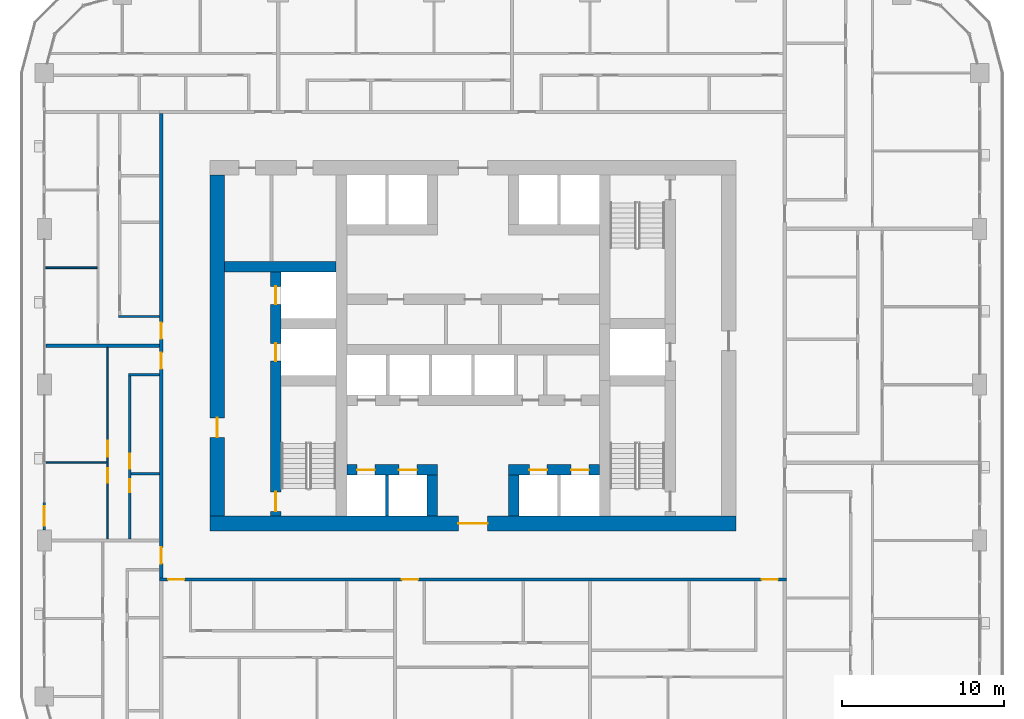
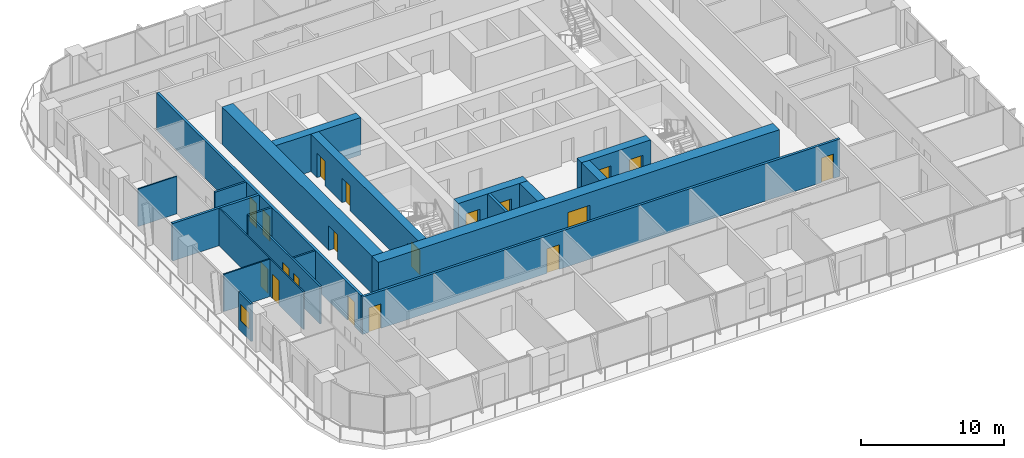
# One storey, part 10 of 22: 20 walls, 19 doors, 1 window, 20 openings.
"""IFC4 building model written with IfcOpenShell, lengths in metres."""

from ifc_helpers import new_model, si_unit, direction, frame, frame_2d, origin, place, context, subcontext, project, spatial, rectangle, extrude, material, layer, layer_set, type_object, element, fill, save


model = new_model("IFC4")

# Units and contexts
model_context = context("Model", 3, precision=1e-05, world=origin(), true_north=direction((0.0, 1.0)))
body_context = subcontext(model_context, "Body", "Model", "MODEL_VIEW")
ifc_project = project(units=[si_unit("LENGTHUNIT", "METRE"), si_unit("AREAUNIT", "SQUARE_METRE"), si_unit("VOLUMEUNIT", "CUBIC_METRE"), si_unit("PLANEANGLEUNIT", "RADIAN"), si_unit("MASSUNIT", "GRAM", prefix="KILO")], contexts=[model_context])

# Site, building, storey
site_placement = place(None, origin())
site = spatial("IfcSite", under=ifc_project, at=site_placement, CompositionType="ELEMENT")
building_placement = place(site_placement, origin())
building = spatial("IfcBuilding", under=site, at=building_placement, Name="Madar Terraces", CompositionType="ELEMENT")
storey_placement = place(building_placement, frame((0.0, 0.0, 76.800048828125)))
storey = spatial("IfcBuildingStorey", under=building, at=storey_placement, Name="L19", CompositionType="ELEMENT", Elevation=76.800048828125)

# Wall, openings, doors
ifc_material_1 = material(Name="Concrete C80/95", Category="concrete")
ifc_layer_1 = layer(ifc_material_1, 0.64990234375)
ifc_layer_set_1 = layer_set([ifc_layer_1], Name="Concrete C80/95 (CIW2 RC wall 650)")
wall_type_1 = type_object("IfcWallType", Name="CIW2 RC wall 650", PredefinedType="SHEAR", material=ifc_layer_set_1)
wall_1_placement = place(storey_placement, frame((19.050048828125, 15.89990234375, 0.0), z_axis=(0.0, 0.0, 1.0), x_axis=(0.0, 1.0, 0.0)))
wall_1 = element("IfcWall", 1, at=wall_1_placement, inside=storey, type_object=wall_type_1, Name="CORE SHAFT WALL", PredefinedType="SHEAR", context=body_context, shape_type="SweptSolid", body=[
    extrude(rectangle(XDim=15.025146484375, YDim=0.64990234375, at=frame_2d((7.5126953125, 0.0))), origin(), (0.0, 0.0, 1.0), 3.199951171875),
])
opening_1_placement = place(wall_1_placement, frame((9.550048828125, 0.0, 0.0)))
opening_1 = element("IfcOpeningElement", 2, at=opening_1_placement, cuts=wall_1, Name="Opening LD", PredefinedType="OPENING", context=body_context, shape_type="SweptSolid", body=[
    extrude(rectangle(XDim=1.10009765625, YDim=2.10009765625, at=frame_2d((0.550048828125, 1.050048828125))), frame((0.0, 0.3349609375, 0.0), z_axis=(0.0, -1.0, 0.0), x_axis=(1.0, 0.0, 0.0)), (0.0, 0.0, 1.0), 0.669921875),
])
opening_2_placement = place(wall_1_placement, frame((13.050048828125, 0.0, 0.0)))
opening_2 = element("IfcOpeningElement", 3, at=opening_2_placement, cuts=wall_1, Name="Opening LD", PredefinedType="OPENING", context=body_context, shape_type="SweptSolid", body=[
    extrude(rectangle(XDim=1.10009765625, YDim=2.10009765625, at=frame_2d((0.550048828125, 1.050048828125))), frame((0.0, 0.3349609375, 0.0), z_axis=(0.0, -1.0, 0.0), x_axis=(1.0, 0.0, 0.0)), (0.0, 0.0, 1.0), 0.669921875),
])
opening_3_placement = place(wall_1_placement, frame((0.300048828125, 0.0, 0.0)))
opening_3 = element("IfcOpeningElement", 4, at=opening_3_placement, cuts=wall_1, Name="Opening SD1", PredefinedType="OPENING", context=body_context, shape_type="SweptSolid", body=[
    extrude(rectangle(XDim=1.199951171875, YDim=2.10009765625, at=frame_2d((0.60009765625, 1.050048828125))), frame((0.0, 0.3349609375, 0.0), z_axis=(0.0, -1.0, 0.0), x_axis=(1.0, 0.0, 0.0)), (0.0, 0.0, 1.0), 0.669921875),
])
ifc_material_2 = material(Name="Stainless steel panel", Category="steel")
door_type_1 = type_object("IfcDoorType", Name="Lift landing door 1100 x 2100", OperationType="DOUBLE_DOOR_SLIDING", PredefinedType="DOOR", material=ifc_material_2)
door_1_placement = place(opening_1_placement, origin())
door_1 = element("IfcDoor", 5, at=door_1_placement, inside=storey, type_object=door_type_1, Name="LIFT LANDING DOOR", OperationType="DOUBLE_DOOR_SLIDING", OverallHeight=2.10009765625, OverallWidth=1.10009765625, PredefinedType="DOOR", context=body_context, shape_type="SweptSolid", body=[
    extrude(rectangle(XDim=1.10009765625, YDim=2.10009765625, at=frame_2d((0.550048828125, 1.050048828125))), frame((0.0, 0.02490234375, 0.0), z_axis=(0.0, -1.0, 0.0), x_axis=(1.0, 0.0, 0.0)), (0.0, 0.0, 1.0), 0.050048828125),
])
fill(opening_1, door_1)
door_2_placement = place(opening_2_placement, origin())
door_2 = element("IfcDoor", 6, at=door_2_placement, inside=storey, type_object=door_type_1, Name="LIFT LANDING DOOR", OperationType="DOUBLE_DOOR_SLIDING", OverallHeight=2.10009765625, OverallWidth=1.10009765625, PredefinedType="DOOR", context=body_context, shape_type="SweptSolid", body=[
    extrude(rectangle(XDim=1.10009765625, YDim=2.10009765625, at=frame_2d((0.550048828125, 1.050048828125))), frame((0.0, 0.02490234375, 0.0), z_axis=(0.0, -1.0, 0.0), x_axis=(1.0, 0.0, 0.0)), (0.0, 0.0, 1.0), 0.050048828125),
])
fill(opening_2, door_2)
ifc_material_3 = material(Name="Steel door leaf", Category="steel")
door_type_2 = type_object("IfcDoorType", Name="Stair door 1200 x 2100", OperationType="NOTDEFINED", PredefinedType="DOOR", material=ifc_material_3)
door_3_placement = place(opening_3_placement, frame((1.199951171875, 0.0, 0.0), z_axis=(0.0, 0.0, 1.0), x_axis=(-1.0, 0.0, 0.0)))
door_3 = element("IfcDoor", 7, at=door_3_placement, inside=storey, type_object=door_type_2, Name="STAIR DOOR", OperationType="SINGLE_SWING_LEFT", OverallHeight=2.10009765625, OverallWidth=1.199951171875, PredefinedType="DOOR", context=body_context, shape_type="SweptSolid", body=[
    extrude(rectangle(XDim=1.199951171875, YDim=2.10009765625, at=frame_2d((0.60009765625, 1.050048828125))), frame((0.0, 0.02490234375, 0.0), z_axis=(0.0, -1.0, 0.0), x_axis=(1.0, 0.0, 0.0)), (0.0, 0.0, 1.0), 0.050048828125),
])
fill(opening_3, door_3)

# Wall
wall_2_placement = place(storey_placement, frame((15.89990234375, 31.25, 0.0), z_axis=(0.0, 0.0, 1.0), x_axis=(1.0, 0.0, 0.0)))
element("IfcWall", 8, at=wall_2_placement, inside=storey, type_object=wall_type_1, Name="CORE SHAFT WALL", PredefinedType="SHEAR", context=body_context, shape_type="SweptSolid", body=[
    extrude(rectangle(XDim=6.875, YDim=0.64990234375, at=frame_2d((3.4375, 0.0))), origin(), (0.0, 0.0, 1.0), 3.199951171875),
])

# Wall, openings, doors
wall_3_placement = place(storey_placement, frame((23.425048828125, 18.75, 0.0), z_axis=(0.0, 0.0, 1.0), x_axis=(1.0, 0.0, 0.0)))
wall_3 = element("IfcWall", 9, at=wall_3_placement, inside=storey, type_object=wall_type_1, Name="CORE SHAFT WALL", PredefinedType="SHEAR", context=body_context, shape_type="SweptSolid", body=[
    extrude(rectangle(XDim=5.599853515625, YDim=0.64990234375, at=frame_2d((2.7998046875, 0.0))), origin(), (0.0, 0.0, 1.0), 3.199951171875),
])
opening_4_placement = place(wall_3_placement, frame((0.637451171875, 0.0, 0.0)))
opening_4 = element("IfcOpeningElement", 10, at=opening_4_placement, cuts=wall_3, Name="Opening LD", PredefinedType="OPENING", context=body_context, shape_type="SweptSolid", body=[
    extrude(rectangle(XDim=1.10009765625, YDim=2.10009765625, at=frame_2d((0.550048828125, 1.050048828125))), frame((0.0, 0.3349609375, 0.0), z_axis=(0.0, -1.0, 0.0), x_axis=(1.0, 0.0, 0.0)), (0.0, 0.0, 1.0), 0.669921875),
])
opening_5_placement = place(wall_3_placement, frame((3.21240234375, 0.0, 0.0)))
opening_5 = element("IfcOpeningElement", 11, at=opening_5_placement, cuts=wall_3, Name="Opening LD", PredefinedType="OPENING", context=body_context, shape_type="SweptSolid", body=[
    extrude(rectangle(XDim=1.10009765625, YDim=2.10009765625, at=frame_2d((0.550048828125, 1.050048828125))), frame((0.0, 0.3349609375, 0.0), z_axis=(0.0, -1.0, 0.0), x_axis=(1.0, 0.0, 0.0)), (0.0, 0.0, 1.0), 0.669921875),
])
door_4_placement = place(opening_4_placement, origin())
door_4 = element("IfcDoor", 12, at=door_4_placement, inside=storey, type_object=door_type_1, Name="LIFT LANDING DOOR", OperationType="DOUBLE_DOOR_SLIDING", OverallHeight=2.10009765625, OverallWidth=1.10009765625, PredefinedType="DOOR", context=body_context, shape_type="SweptSolid", body=[
    extrude(rectangle(XDim=1.10009765625, YDim=2.10009765625, at=frame_2d((0.550048828125, 1.050048828125))), frame((0.0, 0.02490234375, 0.0), z_axis=(0.0, -1.0, 0.0), x_axis=(1.0, 0.0, 0.0)), (0.0, 0.0, 1.0), 0.050048828125),
])
fill(opening_4, door_4)
door_5_placement = place(opening_5_placement, origin())
door_5 = element("IfcDoor", 13, at=door_5_placement, inside=storey, type_object=door_type_1, Name="LIFT LANDING DOOR", OperationType="DOUBLE_DOOR_SLIDING", OverallHeight=2.10009765625, OverallWidth=1.10009765625, PredefinedType="DOOR", context=body_context, shape_type="SweptSolid", body=[
    extrude(rectangle(XDim=1.10009765625, YDim=2.10009765625, at=frame_2d((0.550048828125, 1.050048828125))), frame((0.0, 0.02490234375, 0.0), z_axis=(0.0, -1.0, 0.0), x_axis=(1.0, 0.0, 0.0)), (0.0, 0.0, 1.0), 0.050048828125),
])
fill(opening_5, door_5)

wall_4_placement = place(storey_placement, frame((33.375, 18.75, 0.0), z_axis=(0.0, 0.0, 1.0), x_axis=(1.0, 0.0, 0.0)))
wall_4 = element("IfcWall", 14, at=wall_4_placement, inside=storey, type_object=wall_type_1, Name="CORE SHAFT WALL", PredefinedType="SHEAR", context=body_context, shape_type="SweptSolid", body=[
    extrude(rectangle(XDim=5.60009765625, YDim=0.64990234375, at=frame_2d((2.800048828125, 0.0))), origin(), (0.0, 0.0, 1.0), 3.199951171875),
])
opening_6_placement = place(wall_4_placement, frame((1.28759765625, 0.0, 0.0)))
opening_6 = element("IfcOpeningElement", 15, at=opening_6_placement, cuts=wall_4, Name="Opening LD", PredefinedType="OPENING", context=body_context, shape_type="SweptSolid", body=[
    extrude(rectangle(XDim=1.10009765625, YDim=2.10009765625, at=frame_2d((0.550048828125, 1.050048828125))), frame((0.0, 0.3349609375, 0.0), z_axis=(0.0, -1.0, 0.0), x_axis=(1.0, 0.0, 0.0)), (0.0, 0.0, 1.0), 0.669921875),
])
opening_7_placement = place(wall_4_placement, frame((3.862548828125, 0.0, 0.0)))
opening_7 = element("IfcOpeningElement", 16, at=opening_7_placement, cuts=wall_4, Name="Opening LD", PredefinedType="OPENING", context=body_context, shape_type="SweptSolid", body=[
    extrude(rectangle(XDim=1.10009765625, YDim=2.10009765625, at=frame_2d((0.550048828125, 1.050048828125))), frame((0.0, 0.3349609375, 0.0), z_axis=(0.0, -1.0, 0.0), x_axis=(1.0, 0.0, 0.0)), (0.0, 0.0, 1.0), 0.669921875),
])
door_6_placement = place(opening_6_placement, origin())
door_6 = element("IfcDoor", 17, at=door_6_placement, inside=storey, type_object=door_type_1, Name="LIFT LANDING DOOR", OperationType="DOUBLE_DOOR_SLIDING", OverallHeight=2.10009765625, OverallWidth=1.10009765625, PredefinedType="DOOR", context=body_context, shape_type="SweptSolid", body=[
    extrude(rectangle(XDim=1.10009765625, YDim=2.10009765625, at=frame_2d((0.550048828125, 1.050048828125))), frame((0.0, 0.02490234375, 0.0), z_axis=(0.0, -1.0, 0.0), x_axis=(1.0, 0.0, 0.0)), (0.0, 0.0, 1.0), 0.050048828125),
])
fill(opening_6, door_6)
door_7_placement = place(opening_7_placement, origin())
door_7 = element("IfcDoor", 18, at=door_7_placement, inside=storey, type_object=door_type_1, Name="LIFT LANDING DOOR", OperationType="DOUBLE_DOOR_SLIDING", OverallHeight=2.10009765625, OverallWidth=1.10009765625, PredefinedType="DOOR", context=body_context, shape_type="SweptSolid", body=[
    extrude(rectangle(XDim=1.10009765625, YDim=2.10009765625, at=frame_2d((0.550048828125, 1.050048828125))), frame((0.0, 0.02490234375, 0.0), z_axis=(0.0, -1.0, 0.0), x_axis=(1.0, 0.0, 0.0)), (0.0, 0.0, 1.0), 0.050048828125),
])
fill(opening_7, door_7)

# Walls
for number, where, z_axis, x_axis, name in (
    (19, (28.699951171875, 15.89990234375, 0.0), (0.0, 0.0, 1.0), (0.0, 1.0, 0.0), "CORE SHAFT WALL"),
    (20, (33.699951171875, 15.89990234375, 0.0), (0.0, 0.0, 1.0), (0.0, 1.0, 0.0), "CORE SHAFT WALL"),
):
    element("IfcWall", number, at=place(storey_placement, frame(where, z_axis=z_axis, x_axis=x_axis)), inside=storey, type_object=wall_type_1, Name=name, PredefinedType="SHEAR", context=body_context, shape_type="SweptSolid", body=[
        extrude(rectangle(XDim=2.525146484375, YDim=0.64990234375, at=frame_2d((1.2626953125, 0.0))), origin(), (0.0, 0.0, 1.0), 3.199951171875),
    ])

# Wall, opening, door
ifc_material_4 = material(Name="Concrete C80/95", Category="concrete")
ifc_layer_2 = layer(ifc_material_4, 0.89990234375)
ifc_layer_set_2 = layer_set([ifc_layer_2], Name="Concrete C80/95 (CRW2 RC wall 900)")
wall_type_2 = type_object("IfcWallType", Name="CRW2 RC wall 900", PredefinedType="SHEAR", material=ifc_layer_set_2)
wall_5_placement = place(storey_placement, frame((15.0, 15.449951171875, 0.0), z_axis=(0.0, 0.0, 1.0), x_axis=(1.0, 0.0, 0.0)))
wall_5 = element("IfcWall", 21, at=wall_5_placement, inside=storey, type_object=wall_type_2, Name="CORE OUTER WALL", PredefinedType="SHEAR", context=body_context, shape_type="SweptSolid", body=[
    extrude(rectangle(XDim=32.39990234375, YDim=0.89990234375, at=frame_2d((16.199951171875, 0.0))), origin(), (0.0, 0.0, 1.0), 3.199951171875),
])
opening_8_placement = place(wall_5_placement, frame((15.300048828125, 0.0, 0.0)))
opening_8 = element("IfcOpeningElement", 22, at=opening_8_placement, cuts=wall_5, Name="Opening KD1", PredefinedType="OPENING", context=body_context, shape_type="SweptSolid", body=[
    extrude(rectangle(XDim=1.800048828125, YDim=2.10009765625, at=frame_2d((0.89990234375, 1.050048828125))), frame((0.0, 0.4599609375, 0.0), z_axis=(0.0, -1.0, 0.0), x_axis=(1.0, 0.0, 0.0)), (0.0, 0.0, 1.0), 0.919921875),
])
ifc_material_5 = material(Name="Steel door leaf", Category="steel")
door_type_3 = type_object("IfcDoorType", Name="Lobby door pair 1800 x 2100", OperationType="DOUBLE_DOOR_SINGLE_SWING", PredefinedType="DOOR", material=ifc_material_5)
door_8_placement = place(opening_8_placement, frame((1.800048828125, 0.0, 0.0), z_axis=(0.0, 0.0, 1.0), x_axis=(-1.0, 0.0, 0.0)))
door_8 = element("IfcDoor", 23, at=door_8_placement, inside=storey, type_object=door_type_3, Name="LIFT LOBBY DOOR", OperationType="DOUBLE_DOOR_SINGLE_SWING", OverallHeight=2.10009765625, OverallWidth=1.800048828125, PredefinedType="DOOR", context=body_context, shape_type="SweptSolid", body=[
    extrude(rectangle(XDim=1.800048828125, YDim=2.10009765625, at=frame_2d((0.89990234375, 1.050048828125))), frame((0.0, 0.02490234375, 0.0), z_axis=(0.0, -1.0, 0.0), x_axis=(1.0, 0.0, 0.0)), (0.0, 0.0, 1.0), 0.050048828125),
])
fill(opening_8, door_8)

wall_6_placement = place(storey_placement, frame((15.449951171875, 15.89990234375, 0.0), z_axis=(0.0, 0.0, 1.0), x_axis=(0.0, 1.0, 0.0)))
wall_6 = element("IfcWall", 24, at=wall_6_placement, inside=storey, type_object=wall_type_2, Name="CORE OUTER WALL", PredefinedType="SHEAR", context=body_context, shape_type="SweptSolid", body=[
    extrude(rectangle(XDim=21.0, YDim=0.89990234375, at=frame_2d((10.5, 0.0))), origin(), (0.0, 0.0, 1.0), 3.199951171875),
])
opening_9_placement = place(wall_6_placement, frame((4.860107421875, 0.0, 0.0)))
opening_9 = element("IfcOpeningElement", 25, at=opening_9_placement, cuts=wall_6, Name="Opening SD1", PredefinedType="OPENING", context=body_context, shape_type="SweptSolid", body=[
    extrude(rectangle(XDim=1.199951171875, YDim=2.10009765625, at=frame_2d((0.60009765625, 1.050048828125))), frame((0.0, 0.4599609375, 0.0), z_axis=(0.0, -1.0, 0.0), x_axis=(1.0, 0.0, 0.0)), (0.0, 0.0, 1.0), 0.919921875),
])
door_9_placement = place(opening_9_placement, frame((1.199951171875, 0.0, 0.0), z_axis=(0.0, 0.0, 1.0), x_axis=(-1.0, 0.0, 0.0)))
door_9 = element("IfcDoor", 26, at=door_9_placement, inside=storey, type_object=door_type_2, Name="STAIR DOOR", OperationType="SINGLE_SWING_RIGHT", OverallHeight=2.10009765625, OverallWidth=1.199951171875, PredefinedType="DOOR", context=body_context, shape_type="SweptSolid", body=[
    extrude(rectangle(XDim=1.199951171875, YDim=2.10009765625, at=frame_2d((0.60009765625, 1.050048828125))), frame((0.0, 0.02490234375, 0.0), z_axis=(0.0, -1.0, 0.0), x_axis=(1.0, 0.0, 0.0)), (0.0, 0.0, 1.0), 0.050048828125),
])
fill(opening_9, door_9)

# Wall
ifc_material_6 = material(Name="Concrete C40/50", Category="concrete")
ifc_layer_3 = layer(ifc_material_6, 0.199951171875)
ifc_layer_set_3 = layer_set([ifc_layer_3], Name="Core shaft dividing wall 200 C40/50")
wall_type_3 = type_object("IfcWallType", Name="Core shaft dividing wall 200 C40/50", PredefinedType="SOLIDWALL", material=ifc_layer_set_3)
wall_7_placement = place(storey_placement, frame((25.89990234375, 15.89990234375, 0.0), z_axis=(0.0, 0.0, 1.0), x_axis=(0.0, 1.0, 0.0)))
element("IfcWall", 27, at=wall_7_placement, inside=storey, type_object=wall_type_3, Name="SHAFT DIVIDING WALL", PredefinedType="SOLIDWALL", context=body_context, shape_type="SweptSolid", body=[
    extrude(rectangle(XDim=2.525146484375, YDim=0.199951171875, at=frame_2d((1.2626953125, 0.0))), origin(), (0.0, 0.0, 1.0), 3.199951171875),
])

# Wall, opening, window
ifc_material_7 = material(Name="Aluminium composite panel, black, over insulated backing", Category="aluminium")
ifc_layer_4 = layer(ifc_material_7, 0.14990234375)
ifc_layer_set_4 = layer_set([ifc_layer_4], Name="Facade bay panel 150")
wall_type_4 = type_object("IfcWallType", Name="Facade bay panel 150", PredefinedType="SOLIDWALL", material=ifc_layer_set_4)
wall_8_placement = place(storey_placement, frame((4.800048828125, 16.800048828125, 0.0), z_axis=(0.0, 0.0, 1.0), x_axis=(0.0, -1.0, 0.0)))
wall_8 = element("IfcWall", 28, at=wall_8_placement, inside=storey, type_object=wall_type_4, Name="Facade bay panel", PredefinedType="SOLIDWALL", context=body_context, shape_type="SweptSolid", body=[
    extrude(rectangle(XDim=1.75, YDim=0.14990234375, at=frame_2d((0.875, 0.0))), origin(), (0.0, 0.0, 1.0), 3.199951171875),
])
opening_10_placement = place(wall_8_placement, frame((0.27490234375, 0.0, 0.89990234375)))
opening_10 = element("IfcOpeningElement", 29, at=opening_10_placement, cuts=wall_8, Name="Opening W1", PredefinedType="OPENING", context=body_context, shape_type="SweptSolid", body=[
    extrude(rectangle(XDim=1.199951171875, YDim=1.39990234375, at=frame_2d((0.60009765625, 0.699951171875))), frame((0.0, 0.0849609375, 0.0), z_axis=(0.0, -1.0, 0.0), x_axis=(1.0, 0.0, 0.0)), (0.0, 0.0, 1.0), 0.169921875),
])
ifc_material_8 = material(Name="Glass, clear, with black aluminium frame", Category="aluminium")
window_type = type_object("IfcWindowType", Name="Vent window 1200 x 1400", PartitioningType="SINGLE_PANEL", PredefinedType="WINDOW", material=ifc_material_8)
window_placement = place(opening_10_placement, origin())
window = element("IfcWindow", 30, at=window_placement, inside=storey, type_object=window_type, Name="Operable vent window", OverallHeight=1.39990234375, OverallWidth=1.199951171875, PartitioningType="SINGLE_PANEL", PredefinedType="WINDOW", context=body_context, shape_type="SweptSolid", body=[
    extrude(rectangle(XDim=1.199951171875, YDim=1.39990234375, at=frame_2d((0.60009765625, 0.699951171875))), frame((0.0, 0.030029296875, 0.0), z_axis=(0.0, -1.0, 0.0), x_axis=(1.0, 0.0, 0.0)), (0.0, 0.0, 1.0), 0.06005859375),
])
fill(opening_10, window)

# Walls
ifc_material_9 = material(Name="Gypsum board on steel studs", Category="steel")
ifc_layer_5 = layer(ifc_material_9, 0.10009765625)
ifc_layer_set_5 = layer_set([ifc_layer_5], Name="Flat partition 100")
wall_type_5 = type_object("IfcWallType", Name="Flat partition 100", PredefinedType="PARTITIONING", material=ifc_layer_set_5)
wall_9_placement = place(storey_placement, frame((8.050048828125, 31.199951171875, 0.0), z_axis=(0.0, 0.0, 1.0), x_axis=(-1.0, 0.0, 0.0)))
element("IfcWall", 31, at=wall_9_placement, inside=storey, type_object=wall_type_5, Name="Flat partition 100", PredefinedType="PARTITIONING", context=body_context, shape_type="SweptSolid", body=[
    extrude(rectangle(XDim=3.150146484375, YDim=0.10009765625, at=frame_2d((1.5751953125, 0.0))), origin(), (0.0, 0.0, 1.0), 3.199951171875),
])
wall_10_placement = place(storey_placement, frame((8.64990234375, 19.199951171875, 0.0), z_axis=(0.0, 0.0, 1.0), x_axis=(-1.0, 0.0, 0.0)))
element("IfcWall", 32, at=wall_10_placement, inside=storey, type_object=wall_type_5, Name="Flat partition 100", PredefinedType="PARTITIONING", context=body_context, shape_type="SweptSolid", body=[
    extrude(rectangle(XDim=3.75, YDim=0.10009765625, at=frame_2d((1.875, 0.0))), origin(), (0.0, 0.0, 1.0), 3.199951171875),
])

# Wall, openings, doors
wall_11_placement = place(storey_placement, frame((8.699951171875, 14.5, 0.0), z_axis=(0.0, 0.0, 1.0), x_axis=(0.0, 1.0, 0.0)))
wall_11 = element("IfcWall", 33, at=wall_11_placement, inside=storey, type_object=wall_type_5, Name="Flat partition 100", PredefinedType="PARTITIONING", context=body_context, shape_type="SweptSolid", body=[
    extrude(rectangle(XDim=11.800048828125, YDim=0.10009765625, at=frame_2d((5.89990234375, 0.0))), origin(), (0.0, 0.0, 1.0), 3.199951171875),
])
opening_11_placement = place(wall_11_placement, frame((5.050048828125, 0.0, 0.0)))
opening_11 = element("IfcOpeningElement", 34, at=opening_11_placement, cuts=wall_11, Name="Opening D3", PredefinedType="OPENING", context=body_context, shape_type="SweptSolid", body=[
    extrude(rectangle(XDim=1.0, YDim=2.10009765625, at=frame_2d((0.5, 1.050048828125))), frame((0.0, 0.06005859375, 0.0), z_axis=(0.0, -1.0, 0.0), x_axis=(1.0, 0.0, 0.0)), (0.0, 0.0, 1.0), 0.1201171875),
])
opening_12_placement = place(wall_11_placement, frame((3.449951171875, 0.0, 0.0)))
opening_12 = element("IfcOpeningElement", 35, at=opening_12_placement, cuts=wall_11, Name="Opening D2", PredefinedType="OPENING", context=body_context, shape_type="SweptSolid", body=[
    extrude(rectangle(XDim=0.89990234375, YDim=2.10009765625, at=frame_2d((0.449951171875, 1.050048828125))), frame((0.0, 0.06005859375, 0.0), z_axis=(0.0, -1.0, 0.0), x_axis=(1.0, 0.0, 0.0)), (0.0, 0.0, 1.0), 0.1201171875),
])
ifc_material_10 = material(Name="Timber door leaf", Category="wood")
door_type_4 = type_object("IfcDoorType", Name="Flat living room door 1000", OperationType="NOTDEFINED", PredefinedType="DOOR", material=ifc_material_10)
door_10_placement = place(opening_11_placement, origin())
door_10 = element("IfcDoor", 36, at=door_10_placement, inside=storey, type_object=door_type_4, Name="Flat living room door 1000", OperationType="SINGLE_SWING_LEFT", OverallHeight=2.10009765625, OverallWidth=1.0, PredefinedType="DOOR", context=body_context, shape_type="SweptSolid", body=[
    extrude(rectangle(XDim=1.0, YDim=2.10009765625, at=frame_2d((0.5, 1.050048828125))), frame((0.0, 0.02490234375, 0.0), z_axis=(0.0, -1.0, 0.0), x_axis=(1.0, 0.0, 0.0)), (0.0, 0.0, 1.0), 0.050048828125),
])
fill(opening_11, door_10)
ifc_material_11 = material(Name="Timber door leaf", Category="wood")
door_type_5 = type_object("IfcDoorType", Name="Flat room door 900", OperationType="NOTDEFINED", PredefinedType="DOOR", material=ifc_material_11)
door_11_placement = place(opening_12_placement, origin())
door_11 = element("IfcDoor", 37, at=door_11_placement, inside=storey, type_object=door_type_5, Name="Flat room door 900", OperationType="SINGLE_SWING_RIGHT", OverallHeight=2.10009765625, OverallWidth=0.89990234375, PredefinedType="DOOR", context=body_context, shape_type="SweptSolid", body=[
    extrude(rectangle(XDim=0.89990234375, YDim=2.10009765625, at=frame_2d((0.449951171875, 1.050048828125))), frame((0.0, 0.02490234375, 0.0), z_axis=(0.0, -1.0, 0.0), x_axis=(1.0, 0.0, 0.0)), (0.0, 0.0, 1.0), 0.050048828125),
])
fill(opening_12, door_11)

ifc_material_12 = material(Name="Lightweight blockwork", Category="masonry")
ifc_layer_6 = layer(ifc_material_12, 0.199951171875)
ifc_layer_set_6 = layer_set([ifc_layer_6], Name="Flat party and entrance wall 200")
wall_type_6 = type_object("IfcWallType", Name="Flat party and entrance wall 200", PredefinedType="PARTITIONING", material=ifc_layer_set_6)
wall_12_placement = place(storey_placement, frame((50.5, 12.0, 0.0), z_axis=(0.0, 0.0, 1.0), x_axis=(-1.0, 0.0, 0.0)))
wall_12 = element("IfcWall", 38, at=wall_12_placement, inside=storey, type_object=wall_type_6, Name="Flat party and entrance wall 200", PredefinedType="PARTITIONING", context=body_context, shape_type="SweptSolid", body=[
    extrude(rectangle(XDim=38.60009765625, YDim=0.199951171875, at=frame_2d((19.300048828125, 0.0))), origin(), (0.0, 0.0, 1.0), 3.199951171875),
])
opening_13_placement = place(wall_12_placement, frame((37.074951171875, 0.0, 0.0)))
opening_13 = element("IfcOpeningElement", 39, at=opening_13_placement, cuts=wall_12, Name="Opening D1", PredefinedType="OPENING", context=body_context, shape_type="SweptSolid", body=[
    extrude(rectangle(XDim=1.0, YDim=2.10009765625, at=frame_2d((0.5, 1.050048828125))), frame((0.0, 0.10986328125, 0.0), z_axis=(0.0, -1.0, 0.0), x_axis=(1.0, 0.0, 0.0)), (0.0, 0.0, 1.0), 0.219970703125),
])
opening_14_placement = place(wall_12_placement, frame((22.675048828125, 0.0, 0.0)))
opening_14 = element("IfcOpeningElement", 40, at=opening_14_placement, cuts=wall_12, Name="Opening D1", PredefinedType="OPENING", context=body_context, shape_type="SweptSolid", body=[
    extrude(rectangle(XDim=1.0, YDim=2.10009765625, at=frame_2d((0.5, 1.050048828125))), frame((0.0, 0.10986328125, 0.0), z_axis=(0.0, -1.0, 0.0), x_axis=(1.0, 0.0, 0.0)), (0.0, 0.0, 1.0), 0.219970703125),
])
opening_15_placement = place(wall_12_placement, frame((0.52490234375, 0.0, 0.0)))
opening_15 = element("IfcOpeningElement", 41, at=opening_15_placement, cuts=wall_12, Name="Opening D1", PredefinedType="OPENING", context=body_context, shape_type="SweptSolid", body=[
    extrude(rectangle(XDim=1.0, YDim=2.10009765625, at=frame_2d((0.5, 1.050048828125))), frame((0.0, 0.10986328125, 0.0), z_axis=(0.0, -1.0, 0.0), x_axis=(1.0, 0.0, 0.0)), (0.0, 0.0, 1.0), 0.219970703125),
])
ifc_material_13 = material(Name="Timber fire door leaf", Category="wood")
door_type_6 = type_object("IfcDoorType", Name="Flat entrance door 1000 FD30S", OperationType="NOTDEFINED", PredefinedType="DOOR", material=ifc_material_13)
door_12_placement = place(opening_13_placement, origin())
door_12 = element("IfcDoor", 42, at=door_12_placement, inside=storey, type_object=door_type_6, Name="Flat entrance door 1000 FD30S", OperationType="SINGLE_SWING_RIGHT", OverallHeight=2.10009765625, OverallWidth=1.0, PredefinedType="DOOR", context=body_context, shape_type="SweptSolid", body=[
    extrude(rectangle(XDim=1.0, YDim=2.10009765625, at=frame_2d((0.5, 1.050048828125))), frame((0.0, 0.02490234375, 0.0), z_axis=(0.0, -1.0, 0.0), x_axis=(1.0, 0.0, 0.0)), (0.0, 0.0, 1.0), 0.050048828125),
])
fill(opening_13, door_12)
door_13_placement = place(opening_14_placement, origin())
door_13 = element("IfcDoor", 43, at=door_13_placement, inside=storey, type_object=door_type_6, Name="Flat entrance door 1000 FD30S", OperationType="SINGLE_SWING_RIGHT", OverallHeight=2.10009765625, OverallWidth=1.0, PredefinedType="DOOR", context=body_context, shape_type="SweptSolid", body=[
    extrude(rectangle(XDim=1.0, YDim=2.10009765625, at=frame_2d((0.5, 1.050048828125))), frame((0.0, 0.02490234375, 0.0), z_axis=(0.0, -1.0, 0.0), x_axis=(1.0, 0.0, 0.0)), (0.0, 0.0, 1.0), 0.050048828125),
])
fill(opening_14, door_13)
door_14_placement = place(opening_15_placement, origin())
door_14 = element("IfcDoor", 44, at=door_14_placement, inside=storey, type_object=door_type_6, Name="Flat entrance door 1000 FD30S", OperationType="SINGLE_SWING_LEFT", OverallHeight=2.10009765625, OverallWidth=1.0, PredefinedType="DOOR", context=body_context, shape_type="SweptSolid", body=[
    extrude(rectangle(XDim=1.0, YDim=2.10009765625, at=frame_2d((0.5, 1.050048828125))), frame((0.0, 0.02490234375, 0.0), z_axis=(0.0, -1.0, 0.0), x_axis=(1.0, 0.0, 0.0)), (0.0, 0.0, 1.0), 0.050048828125),
])
fill(opening_15, door_14)

wall_13_placement = place(storey_placement, frame((12.0, 12.10009765625, 0.0), z_axis=(0.0, 0.0, 1.0), x_axis=(0.0, 1.0, 0.0)))
wall_13 = element("IfcWall", 45, at=wall_13_placement, inside=storey, type_object=wall_type_6, Name="Flat party and entrance wall 200", PredefinedType="PARTITIONING", context=body_context, shape_type="SweptSolid", body=[
    extrude(rectangle(XDim=28.599853515625, YDim=0.199951171875, at=frame_2d((14.2998046875, 0.0))), origin(), (0.0, 0.0, 1.0), 3.199951171875),
])
opening_16_placement = place(wall_13_placement, frame((14.72509765625, 0.0, 0.0)))
opening_16 = element("IfcOpeningElement", 46, at=opening_16_placement, cuts=wall_13, Name="Opening D1", PredefinedType="OPENING", context=body_context, shape_type="SweptSolid", body=[
    extrude(rectangle(XDim=1.0, YDim=2.10009765625, at=frame_2d((0.5, 1.050048828125))), frame((0.0, 0.10986328125, 0.0), z_axis=(0.0, -1.0, 0.0), x_axis=(1.0, 0.0, 0.0)), (0.0, 0.0, 1.0), 0.219970703125),
])
opening_17_placement = place(wall_13_placement, frame((12.875, 0.0, 0.0)))
opening_17 = element("IfcOpeningElement", 47, at=opening_17_placement, cuts=wall_13, Name="Opening D1", PredefinedType="OPENING", context=body_context, shape_type="SweptSolid", body=[
    extrude(rectangle(XDim=1.0, YDim=2.10009765625, at=frame_2d((0.5, 1.050048828125))), frame((0.0, 0.10986328125, 0.0), z_axis=(0.0, -1.0, 0.0), x_axis=(1.0, 0.0, 0.0)), (0.0, 0.0, 1.0), 0.219970703125),
])
opening_18_placement = place(wall_13_placement, frame((0.875, 0.0, 0.0)))
opening_18 = element("IfcOpeningElement", 48, at=opening_18_placement, cuts=wall_13, Name="Opening D1", PredefinedType="OPENING", context=body_context, shape_type="SweptSolid", body=[
    extrude(rectangle(XDim=1.0, YDim=2.10009765625, at=frame_2d((0.5, 1.050048828125))), frame((0.0, 0.10986328125, 0.0), z_axis=(0.0, -1.0, 0.0), x_axis=(1.0, 0.0, 0.0)), (0.0, 0.0, 1.0), 0.219970703125),
])
door_15_placement = place(opening_16_placement, origin())
door_15 = element("IfcDoor", 49, at=door_15_placement, inside=storey, type_object=door_type_6, Name="Flat entrance door 1000 FD30S", OperationType="SINGLE_SWING_LEFT", OverallHeight=2.10009765625, OverallWidth=1.0, PredefinedType="DOOR", context=body_context, shape_type="SweptSolid", body=[
    extrude(rectangle(XDim=1.0, YDim=2.10009765625, at=frame_2d((0.5, 1.050048828125))), frame((0.0, 0.02490234375, 0.0), z_axis=(0.0, -1.0, 0.0), x_axis=(1.0, 0.0, 0.0)), (0.0, 0.0, 1.0), 0.050048828125),
])
fill(opening_16, door_15)
door_16_placement = place(opening_17_placement, origin())
door_16 = element("IfcDoor", 50, at=door_16_placement, inside=storey, type_object=door_type_6, Name="Flat entrance door 1000 FD30S", OperationType="SINGLE_SWING_RIGHT", OverallHeight=2.10009765625, OverallWidth=1.0, PredefinedType="DOOR", context=body_context, shape_type="SweptSolid", body=[
    extrude(rectangle(XDim=1.0, YDim=2.10009765625, at=frame_2d((0.5, 1.050048828125))), frame((0.0, 0.02490234375, 0.0), z_axis=(0.0, -1.0, 0.0), x_axis=(1.0, 0.0, 0.0)), (0.0, 0.0, 1.0), 0.050048828125),
])
fill(opening_17, door_16)
door_17_placement = place(opening_18_placement, origin())
door_17 = element("IfcDoor", 51, at=door_17_placement, inside=storey, type_object=door_type_6, Name="Flat entrance door 1000 FD30S", OperationType="SINGLE_SWING_RIGHT", OverallHeight=2.10009765625, OverallWidth=1.0, PredefinedType="DOOR", context=body_context, shape_type="SweptSolid", body=[
    extrude(rectangle(XDim=1.0, YDim=2.10009765625, at=frame_2d((0.5, 1.050048828125))), frame((0.0, 0.02490234375, 0.0), z_axis=(0.0, -1.0, 0.0), x_axis=(1.0, 0.0, 0.0)), (0.0, 0.0, 1.0), 0.050048828125),
])
fill(opening_18, door_17)

# Walls
wall_14_placement = place(storey_placement, frame((4.89990234375, 26.39990234375, 0.0), z_axis=(0.0, 0.0, 1.0), x_axis=(1.0, 0.0, 0.0)))
element("IfcWall", 52, at=wall_14_placement, inside=storey, type_object=wall_type_6, Name="Flat party and entrance wall 200", PredefinedType="PARTITIONING", context=body_context, shape_type="SweptSolid", body=[
    extrude(rectangle(XDim=7.0, YDim=0.199951171875, at=frame_2d((3.5, 0.0))), origin(), (0.0, 0.0, 1.0), 3.199951171875),
])
ifc_material_14 = material(Name="Lightweight blockwork", Category="masonry")
ifc_layer_7 = layer(ifc_material_14, 0.14990234375)
ifc_layer_set_7 = layer_set([ifc_layer_7], Name="Flat wet-room partition 150")
wall_type_7 = type_object("IfcWallType", Name="Flat wet-room partition 150", PredefinedType="PARTITIONING", material=ifc_layer_set_7)
wall_15_placement = place(storey_placement, frame((11.89990234375, 28.199951171875, 0.0), z_axis=(0.0, 0.0, 1.0), x_axis=(-1.0, 0.0, 0.0)))
element("IfcWall", 53, at=wall_15_placement, inside=storey, type_object=wall_type_7, Name="Flat wet-room partition 150", PredefinedType="PARTITIONING", context=body_context, shape_type="SweptSolid", body=[
    extrude(rectangle(XDim=2.52490234375, YDim=0.14990234375, at=frame_2d((1.262451171875, 0.0))), origin(), (0.0, 0.0, 1.0), 3.199951171875),
])
wall_16_placement = place(storey_placement, frame((11.89990234375, 18.510009765625, 0.0), z_axis=(0.0, 0.0, 1.0), x_axis=(-1.0, 0.0, 0.0)))
element("IfcWall", 54, at=wall_16_placement, inside=storey, type_object=wall_type_7, Name="Flat wet-room partition 150", PredefinedType="PARTITIONING", context=body_context, shape_type="SweptSolid", body=[
    extrude(rectangle(XDim=1.77490234375, YDim=0.14990234375, at=frame_2d((0.887451171875, 0.0))), origin(), (0.0, 0.0, 1.0), 3.199951171875),
])
wall_17_placement = place(storey_placement, frame((11.89990234375, 24.60009765625, 0.0), z_axis=(0.0, 0.0, 1.0), x_axis=(-1.0, 0.0, 0.0)))
element("IfcWall", 55, at=wall_17_placement, inside=storey, type_object=wall_type_7, Name="Flat wet-room partition 150", PredefinedType="PARTITIONING", context=body_context, shape_type="SweptSolid", body=[
    extrude(rectangle(XDim=1.9248046875, YDim=0.14990234375, at=frame_2d((0.96240234375, 0.0))), origin(), (0.0, 0.0, 1.0), 3.199951171875),
])

# Wall, openings, doors
wall_18_placement = place(storey_placement, frame((10.050048828125, 24.52490234375, 0.0), z_axis=(0.0, 0.0, 1.0), x_axis=(0.0, -1.0, 0.0)))
wall_18 = element("IfcWall", 56, at=wall_18_placement, inside=storey, type_object=wall_type_7, Name="Flat wet-room partition 150", PredefinedType="PARTITIONING", context=body_context, shape_type="SweptSolid", body=[
    extrude(rectangle(XDim=10.02490234375, YDim=0.14990234375, at=frame_2d((5.012451171875, 0.0))), origin(), (0.0, 0.0, 1.0), 3.199951171875),
])
opening_19_placement = place(wall_18_placement, frame((4.7900390625, 0.0, 0.0)))
opening_19 = element("IfcOpeningElement", 57, at=opening_19_placement, cuts=wall_18, Name="Opening D2", PredefinedType="OPENING", context=body_context, shape_type="SweptSolid", body=[
    extrude(rectangle(XDim=0.89990234375, YDim=2.10009765625, at=frame_2d((0.449951171875, 1.050048828125))), frame((0.0, 0.0849609375, 0.0), z_axis=(0.0, -1.0, 0.0), x_axis=(1.0, 0.0, 0.0)), (0.0, 0.0, 1.0), 0.169921875),
])
opening_20_placement = place(wall_18_placement, frame((6.340087890625, 0.0, 0.0)))
opening_20 = element("IfcOpeningElement", 58, at=opening_20_placement, cuts=wall_18, Name="Opening D4", PredefinedType="OPENING", context=body_context, shape_type="SweptSolid", body=[
    extrude(rectangle(XDim=0.800048828125, YDim=2.10009765625, at=frame_2d((0.39990234375, 1.050048828125))), frame((0.0, 0.0849609375, 0.0), z_axis=(0.0, -1.0, 0.0), x_axis=(1.0, 0.0, 0.0)), (0.0, 0.0, 1.0), 0.169921875),
])
ifc_material_15 = material(Name="Timber door leaf", Category="wood")
door_type_7 = type_object("IfcDoorType", Name="Flat bathroom door 800", OperationType="NOTDEFINED", PredefinedType="DOOR", material=ifc_material_15)
door_18_placement = place(opening_20_placement, origin())
door_18 = element("IfcDoor", 59, at=door_18_placement, inside=storey, type_object=door_type_7, Name="Flat bathroom door 800", OperationType="SINGLE_SWING_LEFT", OverallHeight=2.10009765625, OverallWidth=0.800048828125, PredefinedType="DOOR", context=body_context, shape_type="SweptSolid", body=[
    extrude(rectangle(XDim=0.800048828125, YDim=2.10009765625, at=frame_2d((0.39990234375, 1.050048828125))), frame((0.0, 0.02490234375, 0.0), z_axis=(0.0, -1.0, 0.0), x_axis=(1.0, 0.0, 0.0)), (0.0, 0.0, 1.0), 0.050048828125),
])
fill(opening_20, door_18)
door_19_placement = place(opening_19_placement, origin())
door_19 = element("IfcDoor", 60, at=door_19_placement, inside=storey, type_object=door_type_5, Name="Flat room door 900", OperationType="SINGLE_SWING_RIGHT", OverallHeight=2.10009765625, OverallWidth=0.89990234375, PredefinedType="DOOR", context=body_context, shape_type="SweptSolid", body=[
    extrude(rectangle(XDim=0.89990234375, YDim=2.10009765625, at=frame_2d((0.449951171875, 1.050048828125))), frame((0.0, 0.02490234375, 0.0), z_axis=(0.0, -1.0, 0.0), x_axis=(1.0, 0.0, 0.0)), (0.0, 0.0, 1.0), 0.050048828125),
])
fill(opening_19, door_19)

save(model, "model.ifc")
